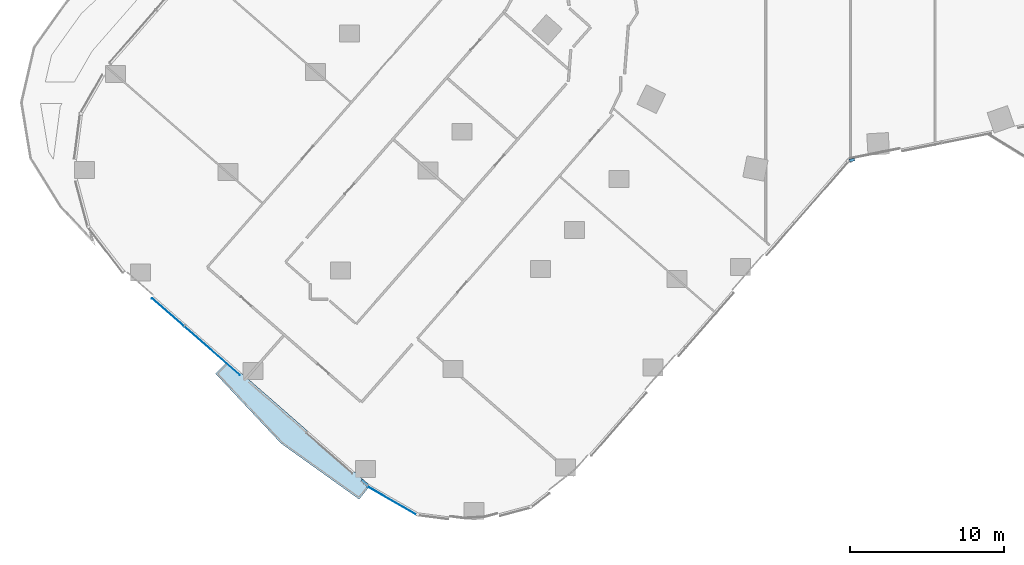
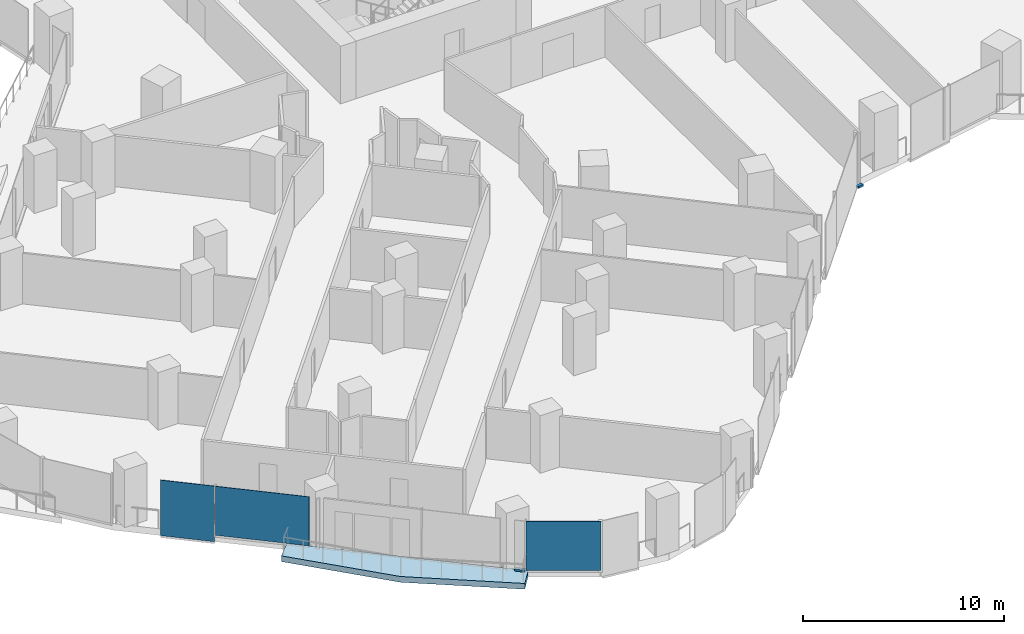
# One storey, part 15 of 32: 3 plates, 2 members, 1 slab, 3 elements without a shape of their own.
"""IFC4 building model written with IfcOpenShell, lengths in metres."""

import ifcopenshell
import ifcopenshell.guid

model = None  # the IFC model being written
_history = None  # IfcOwnerHistory: only IFC2X3 demands one
_inside = {}  # id of a spatial element -> (the spatial element, [elements in it])
_under = {}  # id of a project, library or spatial element -> (it, [spatial elements below it])
_declared = {}  # id of a project -> (the project, [libraries it declares])
_typed = {}  # id of a type object -> (the type object, [elements of that type])
_made_of = {}  # id of a material, layer set ... -> (it, [elements and type objects made of it])


def new_model(schema):
    """Start an empty IFC model of exactly this schema.

    Asked for "IFC4X3", IfcOpenShell would pick the latest addendum, in which some entities
    have other attributes; the version numbers below select the first issue.
    IFC2X3 requires an IfcOwnerHistory on every rooted entity: one is made here for all.
    """
    global model, _history
    if schema == "IFC4X3":
        model = ifcopenshell.file(schema_version=(4, 3, 0, 0))
    else:
        model = ifcopenshell.file(schema=schema)
    _inside.clear()
    _under.clear()
    _declared.clear()
    _typed.clear()
    _made_of.clear()
    _history = None
    if model.schema == "IFC2X3":
        org = make("IfcOrganization", Name="unknown")
        user = make(
            "IfcPersonAndOrganization",
            ThePerson=make("IfcPerson", FamilyName="unknown"),
            TheOrganization=org,
        )
        app = make(
            "IfcApplication",
            ApplicationDeveloper=org,
            Version="unknown",
            ApplicationFullName="unknown",
            ApplicationIdentifier="unknown",
        )
        _history = make(
            "IfcOwnerHistory",
            OwningUser=user,
            OwningApplication=app,
            ChangeAction="ADDED",
            CreationDate=0,
        )
    return model


def make(cls, **values):
    """One entity of the class cls with the attributes given. An attribute that is None is left unset."""
    return model.create_entity(
        cls, **{name: value for name, value in values.items() if value is not None}
    )


def rooted(cls, **values):
    """An entity with a GlobalId (a new one), such as an element, a storey or a relation."""
    return make(cls, GlobalId=ifcopenshell.guid.new(), OwnerHistory=_history, **values)


def si_unit(unit_type, name, prefix=None):
    """IfcSIUnit, for example si_unit("LENGTHUNIT", "METRE", prefix="MILLI")."""
    return make("IfcSIUnit", UnitType=unit_type, Prefix=prefix, Name=name)


def assignment(units):
    """IfcUnitAssignment: the units of a project."""
    return None if units is None else make("IfcUnitAssignment", Units=units)


def point(xyz):
    """IfcCartesianPoint."""
    return None if xyz is None else make("IfcCartesianPoint", Coordinates=xyz)


def direction(xyz):
    """IfcDirection."""
    return None if xyz is None else make("IfcDirection", DirectionRatios=xyz)


def frame(location, z_axis=None, x_axis=None):
    """IfcAxis2Placement3D, a coordinate frame: its origin and axes. An axis left out is left unset."""
    return make(
        "IfcAxis2Placement3D",
        Location=point(location),
        Axis=direction(z_axis),
        RefDirection=direction(x_axis),
    )


def frame_2d(location, x_axis=None):
    """IfcAxis2Placement2D, a coordinate frame in the plane: its origin and x axis."""
    return make(
        "IfcAxis2Placement2D", Location=point(location), RefDirection=direction(x_axis)
    )


def origin():
    """The frame at (0, 0, 0) with its axes left unset."""
    return frame((0.0, 0.0, 0.0))


def origin_2d():
    """The frame at (0, 0) in the plane with its x axis left unset."""
    return frame_2d((0.0, 0.0))


def place(relative_to, where):
    """IfcLocalPlacement: puts the frame where relative to a parent placement (None: the world)."""
    return make(
        "IfcLocalPlacement", PlacementRelTo=relative_to, RelativePlacement=where
    )


def context(
    kind, dimensions, precision=None, world=None, true_north=None, identifier=None
):
    """IfcGeometricRepresentationContext, for example the 3D "Model" context."""
    return make(
        "IfcGeometricRepresentationContext",
        ContextIdentifier=identifier,
        ContextType=kind,
        CoordinateSpaceDimension=dimensions,
        Precision=precision,
        WorldCoordinateSystem=world,
        TrueNorth=true_north,
    )


def subcontext(parent, identifier, kind, view, scale=None):
    """IfcGeometricRepresentationSubContext, for example "Body" below "Model"."""
    return make(
        "IfcGeometricRepresentationSubContext",
        ContextIdentifier=identifier,
        ContextType=kind,
        ParentContext=parent,
        TargetScale=scale,
        TargetView=view,
    )


def project(units=None, contexts=None):
    """IfcProject with its units and contexts."""
    return rooted(
        "IfcProject",
        Name="project",
        RepresentationContexts=contexts,
        UnitsInContext=assignment(units),
    )


def spatial(cls, under=None, at=None, **own):
    """A site, building, storey or space (cls), placed at a placement, below another one or the project."""
    s = rooted(cls, ObjectPlacement=at, **own)
    if under is not None:
        _under.setdefault(under.id(), (under, []))[1].append(s)
    return s


def polyline(points):
    """IfcPolyline through the points."""
    return make("IfcPolyline", Points=[point(p) for p in points])


def profile(cls, at=None, kind="AREA", **sizes):
    """A parametric profile (cls). Its sizes go by their IFC names, for example OverallWidth=200.0."""
    return make(cls, ProfileType=kind, Position=at, **sizes)


def rectangle(**sizes):
    """IfcRectangleProfileDef."""
    return profile("IfcRectangleProfileDef", **sizes)


def outline(outer, holes=None, kind="AREA"):
    """IfcArbitraryClosedProfileDef: a profile drawn as a closed curve; with holes, ...WithVoids."""
    if holes is None:
        return make("IfcArbitraryClosedProfileDef", ProfileType=kind, OuterCurve=outer)
    return make(
        "IfcArbitraryProfileDefWithVoids",
        ProfileType=kind,
        OuterCurve=outer,
        InnerCurves=holes,
    )


def extrude(swept, where, along, depth):
    """IfcExtrudedAreaSolid: the profile swept, set in the frame where, extruded along a direction by depth."""
    return make(
        "IfcExtrudedAreaSolid",
        SweptArea=swept,
        Position=where,
        ExtrudedDirection=direction(along),
        Depth=depth,
    )


def shape(context_of_items, identifier, shape_type, items):
    """IfcShapeRepresentation: the items that make up one representation, for example the "Body"."""
    return make(
        "IfcShapeRepresentation",
        ContextOfItems=context_of_items,
        RepresentationIdentifier=identifier,
        RepresentationType=shape_type,
        Items=items,
    )


def material(Name=None, Category=None):
    """IfcMaterial."""
    return make("IfcMaterial", Name=Name, Category=Category)


def layer(
    of_material, thickness, ventilated=None, Name=None, Category=None, Priority=None
):
    """IfcMaterialLayer: one layer of a wall or slab, of a material (None: an air gap)."""
    return make(
        "IfcMaterialLayer",
        Material=of_material,
        LayerThickness=thickness,
        IsVentilated=ventilated,
        Name=Name,
        Category=Category,
        Priority=Priority,
    )


def layer_set(layers, Name=None):
    """IfcMaterialLayerSet."""
    return make("IfcMaterialLayerSet", MaterialLayers=layers, LayerSetName=Name)


def material_profile(
    of_material, cross_section, Name=None, Category=None, Priority=None
):
    """IfcMaterialProfile: a cross section and its material."""
    return make(
        "IfcMaterialProfile",
        Name=Name,
        Material=of_material,
        Profile=cross_section,
        Priority=Priority,
        Category=Category,
    )


def profile_set(profiles, Name=None, composite=None):
    """IfcMaterialProfileSet."""
    return make(
        "IfcMaterialProfileSet",
        Name=Name,
        MaterialProfiles=profiles,
        CompositeProfile=composite,
    )


def made_of(thing, what):
    """Note that an element or type object is made of a material, layer set ...; save() writes the relation."""
    if what is not None:
        _made_of.setdefault(what.id(), (what, []))[1].append(thing)
    return thing


def type_object(cls, material=None, **own):
    """A type object (cls), such as IfcWallType, which elements share."""
    return made_of(rooted(cls, **own), material)


def element(
    cls,
    number,
    at=None,
    inside=None,
    cuts=None,
    type_object=None,
    material=None,
    context=None,
    identifier="Body",
    shape_type=None,
    held_by="IfcProductDefinitionShape",
    body=None,
    shapes=None,
    **own,
):
    """One element of the class cls, such as IfcWall. Its Tag is "e" and its number.

    at: its placement. inside: the storey or other place that contains it. cuts: it is an
    opening in that element (IfcRelVoidsElement). A single representation is given by context,
    identifier, shape_type and body (its items); several are given by shapes. held_by: the class
    of the entity that holds the representations. save() writes the other relations.
    """
    e = rooted(cls, Tag="e%d" % number, ObjectPlacement=at, **own)
    if body is not None:
        shapes = [shape(context, identifier, shape_type, body)]
    if shapes is not None:
        e.Representation = make(held_by, Representations=shapes)
    if inside is not None:
        _inside.setdefault(inside.id(), (inside, []))[1].append(e)
    if cuts is not None:
        rooted(
            "IfcRelVoidsElement", RelatingBuildingElement=cuts, RelatedOpeningElement=e
        )
    if type_object is not None:
        _typed.setdefault(type_object.id(), (type_object, []))[1].append(e)
    return made_of(e, material)


def aggregate(whole, parts):
    """IfcRelAggregates: a whole, such as a stair, and the parts it consists of."""
    return rooted("IfcRelAggregates", RelatingObject=whole, RelatedObjects=parts)


def save(model, path):
    """Write the relations noted so far, then the file.

    IfcRelAggregates (storeys below a building ...), IfcRelContainedInSpatialStructure (elements
    in a storey), IfcRelDefinesByType, IfcRelAssociatesMaterial and IfcRelDeclares: one each for
    every whole, place, type object, material and project.
    """
    for whole, parts in _under.values():
        aggregate(whole, parts)
    for where, things in _inside.values():
        rooted(
            "IfcRelContainedInSpatialStructure",
            RelatedElements=things,
            RelatingStructure=where,
        )
    for kind, things in _typed.values():
        rooted("IfcRelDefinesByType", RelatedObjects=things, RelatingType=kind)
    for what, things in _made_of.values():
        rooted("IfcRelAssociatesMaterial", RelatedObjects=things, RelatingMaterial=what)
    for by, libraries in _declared.values():
        rooted("IfcRelDeclares", RelatingContext=by, RelatedDefinitions=libraries)
    model.write(path)


model = new_model("IFC4")

# Units and contexts
model_context = context("Model", 3, precision=1e-05, world=origin(), true_north=direction((0.0, 1.0)))
body_context = subcontext(model_context, "Body", "Model", "MODEL_VIEW")
ifc_project = project(units=[si_unit("LENGTHUNIT", "METRE"), si_unit("AREAUNIT", "SQUARE_METRE"), si_unit("VOLUMEUNIT", "CUBIC_METRE"), si_unit("PLANEANGLEUNIT", "RADIAN"), si_unit("MASSUNIT", "GRAM", prefix="KILO")], contexts=[model_context])

# Site, building, storey
site_placement = place(None, origin())
site = spatial("IfcSite", under=ifc_project, at=site_placement, CompositionType="ELEMENT")
building_placement = place(site_placement, origin())
building = spatial("IfcBuilding", under=site, at=building_placement, Name="Orlundy Tower", CompositionType="ELEMENT")
storey_placement = place(building_placement, frame((0.0, 0.0, 58.800048828125)))
storey = spatial("IfcBuildingStorey", under=building, at=storey_placement, Name="L13", CompositionType="ELEMENT", Elevation=58.800048828125)

# Curtain wall, member
ifc_material_1 = material(Name="Aluminium bronze anodised", Category="aluminium")
curtain_wall_type = type_object("IfcCurtainWallType", Name="CW1 wall", PredefinedType="NOTDEFINED", material=ifc_material_1)
curtain_wall_1_placement = place(storey_placement, origin())
curtain_wall_1 = element("IfcCurtainWall", 1, at=curtain_wall_1_placement, inside=storey, type_object=curtain_wall_type, Name="CW1 run 01", PredefinedType="NOTDEFINED")
ifc_material_2 = material(Name="Aluminium bronze anodised", Category="aluminium")
ifc_material_profile = material_profile(ifc_material_2, rectangle(XDim=0.179931640625, YDim=0.1201171875, at=origin_2d()), Name="CW1 transom 180x120")
ifc_profile_set = profile_set([ifc_material_profile], Name="Aluminium bronze anodised")
member_type = type_object("IfcMemberType", Name="CW1 transom 180x120", PredefinedType="USERDEFINED", material=ifc_profile_set)
member_1_placement = place(storey_placement, frame((0.26611328125, -30.63525390625, -0.340087890625), z_axis=(-0.980580675691, -0.196116135138, 0.0), x_axis=(0.196116135138, -0.980580675691, 0.0)))
member_1 = element("IfcMember", 2, at=member_1_placement, type_object=member_type, Name="CW1 transom", ObjectType="TRANSOM", PredefinedType="USERDEFINED", context=body_context, shape_type="SweptSolid", body=[
    extrude(rectangle(XDim=0.179931640625, YDim=0.1201171875, at=origin_2d()), origin(), (0.0, 0.0, 1.0), 0.33984375),
])
aggregate(curtain_wall_1, [member_1])

curtain_wall_2_placement = place(storey_placement, origin())
curtain_wall_2 = element("IfcCurtainWall", 3, at=curtain_wall_2_placement, inside=storey, type_object=curtain_wall_type, Name="CW1 run 07", PredefinedType="NOTDEFINED")
member_2_placement = place(storey_placement, frame((-31.33349609375, -51.760009765625, 0.06005859375), z_axis=(-0.752784706073, 0.658266804801, 0.0), x_axis=(-0.658266804801, -0.752784706073, 0.0)))
member_2 = element("IfcMember", 4, at=member_2_placement, type_object=member_type, Name="CW1 transom", ObjectType="TRANSOM", PredefinedType="USERDEFINED", context=body_context, shape_type="SweptSolid", body=[
    extrude(rectangle(XDim=0.179931640625, YDim=0.1201171875, at=origin_2d()), origin(), (0.0, 0.0, 1.0), 0.5087890625),
])

# Curtain wall, plate
curtain_wall_3_placement = place(storey_placement, origin())
curtain_wall_3 = element("IfcCurtainWall", 5, at=curtain_wall_3_placement, inside=storey, type_object=curtain_wall_type, Name="CW1 run 06", PredefinedType="NOTDEFINED")
ifc_material_3 = material(Name="Tinted glass", Category="glass")
ifc_layer_1 = layer(ifc_material_3, 0.031982421875)
ifc_layer_set_1 = layer_set([ifc_layer_1], Name="CW1 glass panel 32")
plate_type = type_object("IfcPlateType", Name="CW1 glass panel 32", PredefinedType="CURTAIN_PANEL", material=ifc_layer_set_1)
plate_1_placement = place(storey_placement, frame((-29.71923828125, -52.780029296875, 0.119873046875), z_axis=(0.0, 0.0, 1.0), x_axis=(-0.866728479616, 0.498780254844, 0.0)))
plate_1 = element("IfcPlate", 6, at=plate_1_placement, type_object=plate_type, Name="CW1 panel", PredefinedType="CURTAIN_PANEL", context=body_context, shape_type="SweptSolid", body=[
    extrude(rectangle(XDim=3.730712890625, YDim=0.031982421875, at=origin_2d()), origin(), (0.0, 0.0, 1.0), 2.97998046875),
])
aggregate(curtain_wall_3, [plate_1])

# Plate
plate_2_placement = place(storey_placement, frame((-41.4140625, -43.04345703125, 0.119873046875), z_axis=(0.0, 0.0, 1.0), x_axis=(-0.752789052597, 0.658261834143, 0.0)))
plate_2 = element("IfcPlate", 7, at=plate_2_placement, type_object=plate_type, Name="CW1 panel", PredefinedType="CURTAIN_PANEL", context=body_context, shape_type="SweptSolid", body=[
    extrude(rectangle(XDim=4.763916015625, YDim=0.031982421875, at=origin_2d()), origin(), (0.0, 0.0, 1.0), 2.97998046875),
])

plate_3_placement = place(storey_placement, frame((-44.274658203125, -40.542236328125, -0.280029296875), z_axis=(0.0, 0.0, 1.0), x_axis=(-0.752789052597, 0.658261834143, 0.0)))
plate_3 = element("IfcPlate", 8, at=plate_3_placement, type_object=plate_type, Name="CW1 panel", PredefinedType="CURTAIN_PANEL", context=body_context, shape_type="SweptSolid", body=[
    extrude(rectangle(XDim=2.736083984375, YDim=0.031982421875, at=origin_2d()), origin(), (0.0, 0.0, 1.0), 3.3798828125),
])

aggregate(curtain_wall_2, [plate_2, plate_3, member_2])

# Slab
ifc_material_4 = material(Name="Concrete C45/55", Category="concrete")
ifc_layer_2 = layer(ifc_material_4, 0.35009765625)
ifc_layer_set_2 = layer_set([ifc_layer_2], Name="TERRACE SLAB 350 C45/55")
slab_type = type_object("IfcSlabType", Name="TERRACE SLAB 350 C45/55", PredefinedType="ROOF", material=ifc_layer_set_2)
slab_placement = place(storey_placement, frame((0.0, 0.0, -0.35009765625)))
element("IfcSlab", 9, at=slab_placement, inside=storey, type_object=slab_type, Name="Terrace slab L13-3", PredefinedType="ROOF", context=body_context, shape_type="SweptSolid", body=[
    extrude(outline(polyline([(-41.180908203125, -44.531005859375), (-40.39501953125, -43.717041015625), (-31.16796875, -51.784912109375), (-31.8740234375, -52.676025390625), (-36.94189453125, -49.048095703125), (-41.180908203125, -44.531005859375)])), origin(), (0.0, 0.0, 1.0), 0.35009765625),
])

save(model, "model.ifc")
